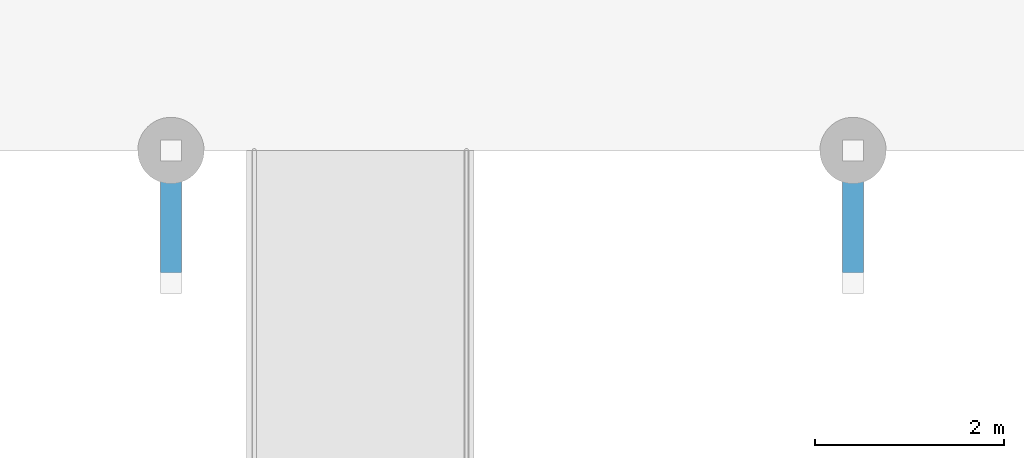
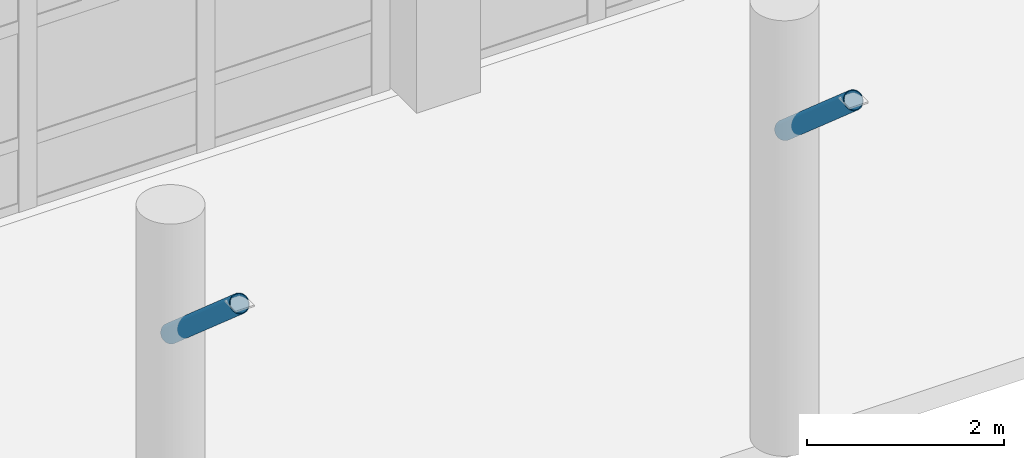
# One storey, part 28 of 137: 2 members.
"""IFC4 building model written with IfcOpenShell, lengths in metres."""

from ifc_helpers import new_model, si_unit, direction, frame, origin, origin_2d, place, context, subcontext, project, spatial, hollow_circle, extrude, material, material_profile, profile_set, type_object, element, save


model = new_model("IFC4")

# Units and contexts
model_context = context("Model", 3, precision=1e-05, world=origin(), true_north=direction((0.0, 1.0)))
body_context = subcontext(model_context, "Body", "Model", "MODEL_VIEW")
ifc_project = project(units=[si_unit("LENGTHUNIT", "METRE"), si_unit("AREAUNIT", "SQUARE_METRE"), si_unit("VOLUMEUNIT", "CUBIC_METRE"), si_unit("PLANEANGLEUNIT", "RADIAN"), si_unit("MASSUNIT", "GRAM", prefix="KILO")], contexts=[model_context])

# Site, building, storey
site_placement = place(None, origin())
site = spatial("IfcSite", under=ifc_project, at=site_placement, CompositionType="ELEMENT")
building_placement = place(site_placement, origin())
building = spatial("IfcBuilding", under=site, at=building_placement, Name="Kalmorath City Hall", CompositionType="ELEMENT")
storey_placement = place(building_placement, origin())
storey = spatial("IfcBuildingStorey", under=building, at=storey_placement, Name="L00", CompositionType="ELEMENT", Elevation=0.0)

# Members
ifc_material = material(Name="Steel ASTM A500 Grade C", Category="steel")
ifc_material_profile = material_profile(ifc_material, hollow_circle(Radius=0.109619140625, WallThickness=0.0087890625, at=origin_2d()), Name="HSS219X9.5")
ifc_profile_set = profile_set([ifc_material_profile], Name="Steel ASTM A500 Grade C")
member_type = type_object("IfcMemberType", Name="Steel arcade diagonal strut HSS219X9.5", PredefinedType="BRACE", material=ifc_profile_set)
for number, where, z_axis, x_axis, name in (
    (1, (100.800048828125, 14.39990234375, 3.800048828125), (0.0, -0.753894617684, 0.656995361801), (1.0, 0.0, 0.0), "Storm arcade brace strut BR7-10"),
    (2, (108.0, 14.39990234375, 3.800048828125), (0.0, -0.753894617684, 0.656995361801), (1.0, 0.0, 0.0), "Storm arcade brace strut BR7-11"),
):
    element("IfcMember", number, at=place(storey_placement, frame(where, z_axis=z_axis, x_axis=x_axis)), inside=storey, type_object=member_type, Name=name, PredefinedType="BRACE", context=body_context, shape_type="SweptSolid", body=[
        extrude(hollow_circle(Radius=0.109619140625, WallThickness=0.0087890625, at=origin_2d()), origin(), (0.0, 0.0, 1.0), 1.85693359375),
    ])

save(model, "model.ifc")
